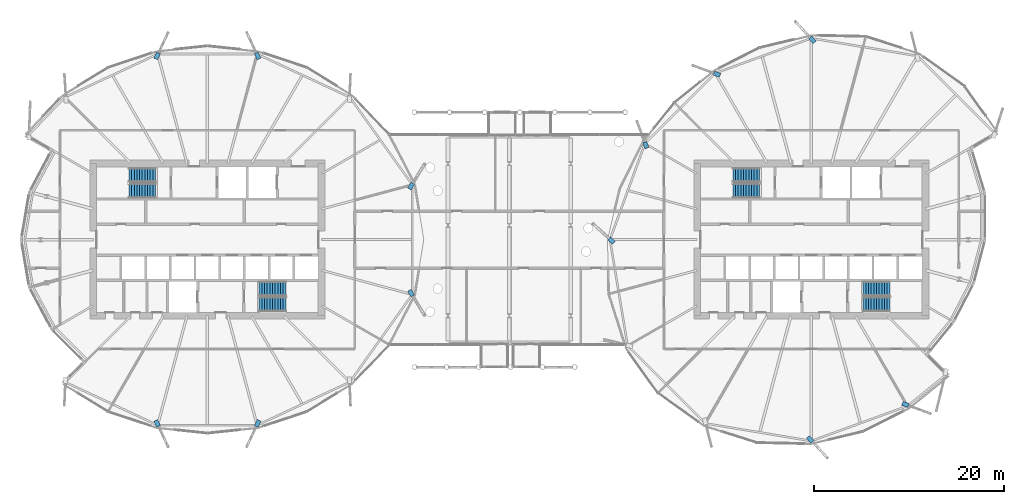
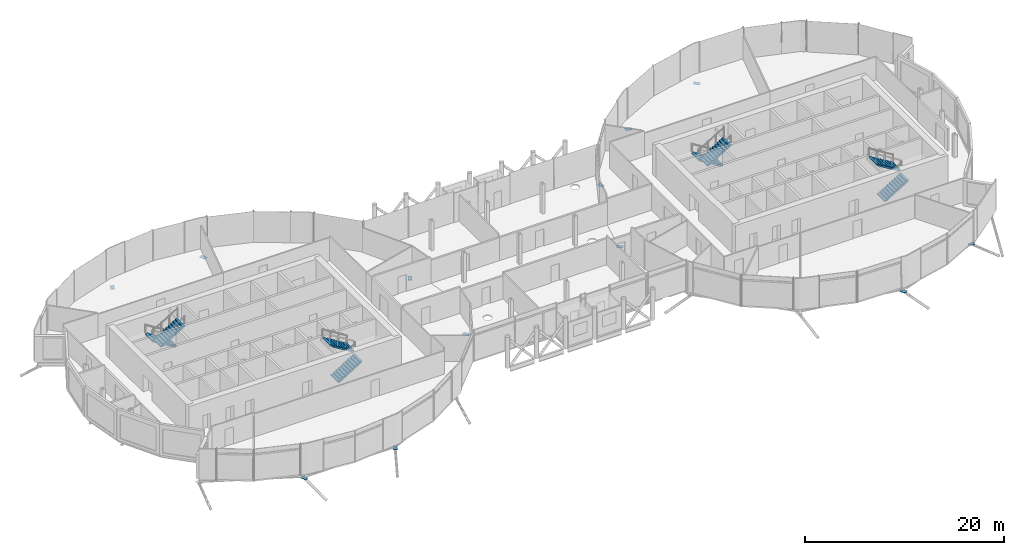
# One storey, part 30 of 39: 12 discrete accessories, 8 stair flights, 4 elements without a shape of their own.
"""IFC4 building model written with IfcOpenShell, lengths in metres."""

import ifcopenshell
import ifcopenshell.guid

model = None  # the IFC model being written
_history = None  # IfcOwnerHistory: only IFC2X3 demands one
_inside = {}  # id of a spatial element -> (the spatial element, [elements in it])
_under = {}  # id of a project, library or spatial element -> (it, [spatial elements below it])
_declared = {}  # id of a project -> (the project, [libraries it declares])
_typed = {}  # id of a type object -> (the type object, [elements of that type])
_made_of = {}  # id of a material, layer set ... -> (it, [elements and type objects made of it])


def new_model(schema):
    """Start an empty IFC model of exactly this schema.

    Asked for "IFC4X3", IfcOpenShell would pick the latest addendum, in which some entities
    have other attributes; the version numbers below select the first issue.
    IFC2X3 requires an IfcOwnerHistory on every rooted entity: one is made here for all.
    """
    global model, _history
    if schema == "IFC4X3":
        model = ifcopenshell.file(schema_version=(4, 3, 0, 0))
    else:
        model = ifcopenshell.file(schema=schema)
    _inside.clear()
    _under.clear()
    _declared.clear()
    _typed.clear()
    _made_of.clear()
    _history = None
    if model.schema == "IFC2X3":
        org = make("IfcOrganization", Name="unknown")
        user = make(
            "IfcPersonAndOrganization",
            ThePerson=make("IfcPerson", FamilyName="unknown"),
            TheOrganization=org,
        )
        app = make(
            "IfcApplication",
            ApplicationDeveloper=org,
            Version="unknown",
            ApplicationFullName="unknown",
            ApplicationIdentifier="unknown",
        )
        _history = make(
            "IfcOwnerHistory",
            OwningUser=user,
            OwningApplication=app,
            ChangeAction="ADDED",
            CreationDate=0,
        )
    return model


def make(cls, **values):
    """One entity of the class cls with the attributes given. An attribute that is None is left unset."""
    return model.create_entity(
        cls, **{name: value for name, value in values.items() if value is not None}
    )


def rooted(cls, **values):
    """An entity with a GlobalId (a new one), such as an element, a storey or a relation."""
    return make(cls, GlobalId=ifcopenshell.guid.new(), OwnerHistory=_history, **values)


def si_unit(unit_type, name, prefix=None):
    """IfcSIUnit, for example si_unit("LENGTHUNIT", "METRE", prefix="MILLI")."""
    return make("IfcSIUnit", UnitType=unit_type, Prefix=prefix, Name=name)


def assignment(units):
    """IfcUnitAssignment: the units of a project."""
    return None if units is None else make("IfcUnitAssignment", Units=units)


def point(xyz):
    """IfcCartesianPoint."""
    return None if xyz is None else make("IfcCartesianPoint", Coordinates=xyz)


def direction(xyz):
    """IfcDirection."""
    return None if xyz is None else make("IfcDirection", DirectionRatios=xyz)


def frame(location, z_axis=None, x_axis=None):
    """IfcAxis2Placement3D, a coordinate frame: its origin and axes. An axis left out is left unset."""
    return make(
        "IfcAxis2Placement3D",
        Location=point(location),
        Axis=direction(z_axis),
        RefDirection=direction(x_axis),
    )


def frame_2d(location, x_axis=None):
    """IfcAxis2Placement2D, a coordinate frame in the plane: its origin and x axis."""
    return make(
        "IfcAxis2Placement2D", Location=point(location), RefDirection=direction(x_axis)
    )


def origin():
    """The frame at (0, 0, 0) with its axes left unset."""
    return frame((0.0, 0.0, 0.0))


def origin_2d():
    """The frame at (0, 0) in the plane with its x axis left unset."""
    return frame_2d((0.0, 0.0))


def place(relative_to, where):
    """IfcLocalPlacement: puts the frame where relative to a parent placement (None: the world)."""
    return make(
        "IfcLocalPlacement", PlacementRelTo=relative_to, RelativePlacement=where
    )


def context(
    kind, dimensions, precision=None, world=None, true_north=None, identifier=None
):
    """IfcGeometricRepresentationContext, for example the 3D "Model" context."""
    return make(
        "IfcGeometricRepresentationContext",
        ContextIdentifier=identifier,
        ContextType=kind,
        CoordinateSpaceDimension=dimensions,
        Precision=precision,
        WorldCoordinateSystem=world,
        TrueNorth=true_north,
    )


def subcontext(parent, identifier, kind, view, scale=None):
    """IfcGeometricRepresentationSubContext, for example "Body" below "Model"."""
    return make(
        "IfcGeometricRepresentationSubContext",
        ContextIdentifier=identifier,
        ContextType=kind,
        ParentContext=parent,
        TargetScale=scale,
        TargetView=view,
    )


def project(units=None, contexts=None):
    """IfcProject with its units and contexts."""
    return rooted(
        "IfcProject",
        Name="project",
        RepresentationContexts=contexts,
        UnitsInContext=assignment(units),
    )


def spatial(cls, under=None, at=None, **own):
    """A site, building, storey or space (cls), placed at a placement, below another one or the project."""
    s = rooted(cls, ObjectPlacement=at, **own)
    if under is not None:
        _under.setdefault(under.id(), (under, []))[1].append(s)
    return s


def polyline(points):
    """IfcPolyline through the points."""
    return make("IfcPolyline", Points=[point(p) for p in points])


def profile(cls, at=None, kind="AREA", **sizes):
    """A parametric profile (cls). Its sizes go by their IFC names, for example OverallWidth=200.0."""
    return make(cls, ProfileType=kind, Position=at, **sizes)


def rectangle(**sizes):
    """IfcRectangleProfileDef."""
    return profile("IfcRectangleProfileDef", **sizes)


def outline(outer, holes=None, kind="AREA"):
    """IfcArbitraryClosedProfileDef: a profile drawn as a closed curve; with holes, ...WithVoids."""
    if holes is None:
        return make("IfcArbitraryClosedProfileDef", ProfileType=kind, OuterCurve=outer)
    return make(
        "IfcArbitraryProfileDefWithVoids",
        ProfileType=kind,
        OuterCurve=outer,
        InnerCurves=holes,
    )


def extrude(swept, where, along, depth):
    """IfcExtrudedAreaSolid: the profile swept, set in the frame where, extruded along a direction by depth."""
    return make(
        "IfcExtrudedAreaSolid",
        SweptArea=swept,
        Position=where,
        ExtrudedDirection=direction(along),
        Depth=depth,
    )


def shape(context_of_items, identifier, shape_type, items):
    """IfcShapeRepresentation: the items that make up one representation, for example the "Body"."""
    return make(
        "IfcShapeRepresentation",
        ContextOfItems=context_of_items,
        RepresentationIdentifier=identifier,
        RepresentationType=shape_type,
        Items=items,
    )


def material(Name=None, Category=None):
    """IfcMaterial."""
    return make("IfcMaterial", Name=Name, Category=Category)


def material_profile(
    of_material, cross_section, Name=None, Category=None, Priority=None
):
    """IfcMaterialProfile: a cross section and its material."""
    return make(
        "IfcMaterialProfile",
        Name=Name,
        Material=of_material,
        Profile=cross_section,
        Priority=Priority,
        Category=Category,
    )


def profile_set(profiles, Name=None, composite=None):
    """IfcMaterialProfileSet."""
    return make(
        "IfcMaterialProfileSet",
        Name=Name,
        MaterialProfiles=profiles,
        CompositeProfile=composite,
    )


def made_of(thing, what):
    """Note that an element or type object is made of a material, layer set ...; save() writes the relation."""
    if what is not None:
        _made_of.setdefault(what.id(), (what, []))[1].append(thing)
    return thing


def type_object(cls, material=None, **own):
    """A type object (cls), such as IfcWallType, which elements share."""
    return made_of(rooted(cls, **own), material)


def element(
    cls,
    number,
    at=None,
    inside=None,
    cuts=None,
    type_object=None,
    material=None,
    context=None,
    identifier="Body",
    shape_type=None,
    held_by="IfcProductDefinitionShape",
    body=None,
    shapes=None,
    **own,
):
    """One element of the class cls, such as IfcWall. Its Tag is "e" and its number.

    at: its placement. inside: the storey or other place that contains it. cuts: it is an
    opening in that element (IfcRelVoidsElement). A single representation is given by context,
    identifier, shape_type and body (its items); several are given by shapes. held_by: the class
    of the entity that holds the representations. save() writes the other relations.
    """
    e = rooted(cls, Tag="e%d" % number, ObjectPlacement=at, **own)
    if body is not None:
        shapes = [shape(context, identifier, shape_type, body)]
    if shapes is not None:
        e.Representation = make(held_by, Representations=shapes)
    if inside is not None:
        _inside.setdefault(inside.id(), (inside, []))[1].append(e)
    if cuts is not None:
        rooted(
            "IfcRelVoidsElement", RelatingBuildingElement=cuts, RelatedOpeningElement=e
        )
    if type_object is not None:
        _typed.setdefault(type_object.id(), (type_object, []))[1].append(e)
    return made_of(e, material)


def aggregate(whole, parts):
    """IfcRelAggregates: a whole, such as a stair, and the parts it consists of."""
    return rooted("IfcRelAggregates", RelatingObject=whole, RelatedObjects=parts)


def save(model, path):
    """Write the relations noted so far, then the file.

    IfcRelAggregates (storeys below a building ...), IfcRelContainedInSpatialStructure (elements
    in a storey), IfcRelDefinesByType, IfcRelAssociatesMaterial and IfcRelDeclares: one each for
    every whole, place, type object, material and project.
    """
    for whole, parts in _under.values():
        aggregate(whole, parts)
    for where, things in _inside.values():
        rooted(
            "IfcRelContainedInSpatialStructure",
            RelatedElements=things,
            RelatingStructure=where,
        )
    for kind, things in _typed.values():
        rooted("IfcRelDefinesByType", RelatedObjects=things, RelatingType=kind)
    for what, things in _made_of.values():
        rooted("IfcRelAssociatesMaterial", RelatedObjects=things, RelatingMaterial=what)
    for by, libraries in _declared.values():
        rooted("IfcRelDeclares", RelatingContext=by, RelatedDefinitions=libraries)
    model.write(path)


model = new_model("IFC4")

# Units and contexts
model_context = context("Model", 3, precision=1e-05, world=origin(), true_north=direction((0.0, 1.0)))
body_context = subcontext(model_context, "Body", "Model", "MODEL_VIEW")
ifc_project = project(units=[si_unit("LENGTHUNIT", "METRE"), si_unit("AREAUNIT", "SQUARE_METRE"), si_unit("VOLUMEUNIT", "CUBIC_METRE"), si_unit("PLANEANGLEUNIT", "RADIAN"), si_unit("MASSUNIT", "GRAM", prefix="KILO")], contexts=[model_context])

# Site, building, storey
site_placement = place(None, origin())
site = spatial("IfcSite", under=ifc_project, at=site_placement, CompositionType="ELEMENT")
building_placement = place(site_placement, origin())
building = spatial("IfcBuilding", under=site, at=building_placement, Name="Rimbun Link Towers", CompositionType="ELEMENT")
storey_placement = place(building_placement, frame((0.0, 0.0, 143.0)))
storey = spatial("IfcBuildingStorey", under=building, at=storey_placement, Name="L34", CompositionType="ELEMENT", Elevation=143.0)

# Stair, stair flights
ifc_material_1 = material(Name="Concrete C40/50", Category="concrete")
stair_type = type_object("IfcStairType", Name="Exit stair 3800 rise", PredefinedType="HALF_TURN_STAIR", material=ifc_material_1)
stair_1_placement = place(storey_placement, origin())
stair_1 = element("IfcStair", 1, at=stair_1_placement, inside=storey, type_object=stair_type, Name="L34 EXIT STAIR A", PredefinedType="HALF_TURN_STAIR")
ifc_material_2 = material(Name="Concrete C40/50", Category="concrete")
stair_flight_type = type_object("IfcStairFlightType", Name="Exit stair flight 3800 rise", PredefinedType="STRAIGHT", material=ifc_material_2)
stair_flight_1_placement = place(storey_placement, frame((-37.199951171875, 6.800048828125, 0.0), z_axis=(0.0, 0.0, 1.0), x_axis=(-1.0, 0.0, 0.0)))
stair_flight_1 = element("IfcStairFlight", 2, at=stair_flight_1_placement, type_object=stair_flight_type, Name="ST1 flight 1", NumberOfRisers=11, NumberOfTreads=10, PredefinedType="STRAIGHT", RiserHeight=0.172727273, TreadLength=0.28, context=body_context, shape_type="SweptSolid", body=[
    extrude(outline(polyline([(0.0, 0.0), (0.0, 0.172607421875), (0.280029296875, 0.172607421875), (0.280029296875, 0.345458984375), (0.56005859375, 0.345458984375), (0.56005859375, 0.51806640625), (0.840087890625, 0.51806640625), (0.840087890625, 0.69091796875), (1.1201171875, 0.69091796875), (1.1201171875, 0.863525390625), (1.39990234375, 0.863525390625), (1.39990234375, 1.036376953125), (1.679931640625, 1.036376953125), (1.679931640625, 1.208984375), (1.9599609375, 1.208984375), (1.9599609375, 1.3818359375), (2.239990234375, 1.3818359375), (2.239990234375, 1.554443359375), (2.52001953125, 1.554443359375), (2.52001953125, 1.727294921875), (2.800048828125, 1.727294921875), (2.800048828125, 1.89990234375), (2.800048828125, 1.551025390625), (0.280029296875, 0.0), (0.0, 0.0)])), frame((0.0, 0.75, 0.0), z_axis=(0.0, -1.0, 0.0), x_axis=(1.0, 0.0, 0.0)), (0.0, 0.0, 1.0), 1.5),
])
stair_flight_2_placement = place(storey_placement, frame((-40.0, 5.14990234375, 1.89990234375), z_axis=(0.0, 0.0, 1.0), x_axis=(1.0, 0.0, 0.0)))
stair_flight_2 = element("IfcStairFlight", 3, at=stair_flight_2_placement, type_object=stair_flight_type, Name="ST1 flight 2", NumberOfRisers=11, NumberOfTreads=10, PredefinedType="STRAIGHT", RiserHeight=0.172727273, TreadLength=0.28, context=body_context, shape_type="SweptSolid", body=[
    extrude(outline(polyline([(0.0, 0.0), (0.0, 0.172607421875), (0.280029296875, 0.172607421875), (0.280029296875, 0.345458984375), (0.56005859375, 0.345458984375), (0.56005859375, 0.51806640625), (0.840087890625, 0.51806640625), (0.840087890625, 0.69091796875), (1.1201171875, 0.69091796875), (1.1201171875, 0.863525390625), (1.39990234375, 0.863525390625), (1.39990234375, 1.036376953125), (1.679931640625, 1.036376953125), (1.679931640625, 1.208984375), (1.9599609375, 1.208984375), (1.9599609375, 1.3818359375), (2.239990234375, 1.3818359375), (2.239990234375, 1.554443359375), (2.52001953125, 1.554443359375), (2.52001953125, 1.727294921875), (2.800048828125, 1.727294921875), (2.800048828125, 1.89990234375), (2.800048828125, 1.551025390625), (0.280029296875, 0.0), (0.0, 0.0)])), frame((0.0, 0.75, 0.0), z_axis=(0.0, -1.0, 0.0), x_axis=(1.0, 0.0, 0.0)), (0.0, 0.0, 1.0), 1.5),
])
aggregate(stair_1, [stair_flight_1, stair_flight_2])

stair_2_placement = place(storey_placement, origin())
stair_2 = element("IfcStair", 4, at=stair_2_placement, inside=storey, type_object=stair_type, Name="L34 EXIT STAIR B", PredefinedType="HALF_TURN_STAIR")
stair_flight_3_placement = place(storey_placement, frame((-26.300048828125, -6.800048828125, 0.0), z_axis=(0.0, 0.0, 1.0), x_axis=(1.0, 0.0, 0.0)))
stair_flight_3 = element("IfcStairFlight", 5, at=stair_flight_3_placement, type_object=stair_flight_type, Name="ST2 flight 1", NumberOfRisers=11, NumberOfTreads=10, PredefinedType="STRAIGHT", RiserHeight=0.172727273, TreadLength=0.28, context=body_context, shape_type="SweptSolid", body=[
    extrude(outline(polyline([(0.0, 0.0), (0.0, 0.172607421875), (0.280029296875, 0.172607421875), (0.280029296875, 0.345458984375), (0.56005859375, 0.345458984375), (0.56005859375, 0.51806640625), (0.840087890625, 0.51806640625), (0.840087890625, 0.69091796875), (1.1201171875, 0.69091796875), (1.1201171875, 0.863525390625), (1.39990234375, 0.863525390625), (1.39990234375, 1.036376953125), (1.679931640625, 1.036376953125), (1.679931640625, 1.208984375), (1.9599609375, 1.208984375), (1.9599609375, 1.3818359375), (2.239990234375, 1.3818359375), (2.239990234375, 1.554443359375), (2.52001953125, 1.554443359375), (2.52001953125, 1.727294921875), (2.800048828125, 1.727294921875), (2.800048828125, 1.89990234375), (2.800048828125, 1.551025390625), (0.280029296875, 0.0), (0.0, 0.0)])), frame((0.0, 0.75, 0.0), z_axis=(0.0, -1.0, 0.0), x_axis=(1.0, 0.0, 0.0)), (0.0, 0.0, 1.0), 1.5),
])
stair_flight_4_placement = place(storey_placement, frame((-23.5, -5.14990234375, 1.89990234375), z_axis=(0.0, 0.0, 1.0), x_axis=(-1.0, 0.0, 0.0)))
stair_flight_4 = element("IfcStairFlight", 6, at=stair_flight_4_placement, type_object=stair_flight_type, Name="ST2 flight 2", NumberOfRisers=11, NumberOfTreads=10, PredefinedType="STRAIGHT", RiserHeight=0.172727273, TreadLength=0.28, context=body_context, shape_type="SweptSolid", body=[
    extrude(outline(polyline([(0.0, 0.0), (0.0, 0.172607421875), (0.280029296875, 0.172607421875), (0.280029296875, 0.345458984375), (0.56005859375, 0.345458984375), (0.56005859375, 0.51806640625), (0.840087890625, 0.51806640625), (0.840087890625, 0.69091796875), (1.1201171875, 0.69091796875), (1.1201171875, 0.863525390625), (1.39990234375, 0.863525390625), (1.39990234375, 1.036376953125), (1.679931640625, 1.036376953125), (1.679931640625, 1.208984375), (1.9599609375, 1.208984375), (1.9599609375, 1.3818359375), (2.239990234375, 1.3818359375), (2.239990234375, 1.554443359375), (2.52001953125, 1.554443359375), (2.52001953125, 1.727294921875), (2.800048828125, 1.727294921875), (2.800048828125, 1.89990234375), (2.800048828125, 1.551025390625), (0.280029296875, 0.0), (0.0, 0.0)])), frame((0.0, 0.75, 0.0), z_axis=(0.0, -1.0, 0.0), x_axis=(1.0, 0.0, 0.0)), (0.0, 0.0, 1.0), 1.5),
])
aggregate(stair_2, [stair_flight_3, stair_flight_4])

stair_3_placement = place(storey_placement, origin())
stair_3 = element("IfcStair", 7, at=stair_3_placement, inside=storey, type_object=stair_type, Name="L34 EXIT STAIR A", PredefinedType="HALF_TURN_STAIR")
stair_flight_5_placement = place(storey_placement, frame((26.300048828125, 6.800048828125, 0.0), z_axis=(0.0, 0.0, 1.0), x_axis=(-1.0, 0.0, 0.0)))
stair_flight_5 = element("IfcStairFlight", 8, at=stair_flight_5_placement, type_object=stair_flight_type, Name="ST3 flight 1", NumberOfRisers=11, NumberOfTreads=10, PredefinedType="STRAIGHT", RiserHeight=0.172727273, TreadLength=0.28, context=body_context, shape_type="SweptSolid", body=[
    extrude(outline(polyline([(0.0, 0.0), (0.0, 0.172607421875), (0.280029296875, 0.172607421875), (0.280029296875, 0.345458984375), (0.56005859375, 0.345458984375), (0.56005859375, 0.51806640625), (0.840087890625, 0.51806640625), (0.840087890625, 0.69091796875), (1.1201171875, 0.69091796875), (1.1201171875, 0.863525390625), (1.39990234375, 0.863525390625), (1.39990234375, 1.036376953125), (1.679931640625, 1.036376953125), (1.679931640625, 1.208984375), (1.9599609375, 1.208984375), (1.9599609375, 1.3818359375), (2.239990234375, 1.3818359375), (2.239990234375, 1.554443359375), (2.52001953125, 1.554443359375), (2.52001953125, 1.727294921875), (2.800048828125, 1.727294921875), (2.800048828125, 1.89990234375), (2.800048828125, 1.551025390625), (0.280029296875, 0.0), (0.0, 0.0)])), frame((0.0, 0.75, 0.0), z_axis=(0.0, -1.0, 0.0), x_axis=(1.0, 0.0, 0.0)), (0.0, 0.0, 1.0), 1.5),
])
stair_flight_6_placement = place(storey_placement, frame((23.5, 5.14990234375, 1.89990234375), z_axis=(0.0, 0.0, 1.0), x_axis=(1.0, 0.0, 0.0)))
stair_flight_6 = element("IfcStairFlight", 9, at=stair_flight_6_placement, type_object=stair_flight_type, Name="ST3 flight 2", NumberOfRisers=11, NumberOfTreads=10, PredefinedType="STRAIGHT", RiserHeight=0.172727273, TreadLength=0.28, context=body_context, shape_type="SweptSolid", body=[
    extrude(outline(polyline([(0.0, 0.0), (0.0, 0.172607421875), (0.280029296875, 0.172607421875), (0.280029296875, 0.345458984375), (0.56005859375, 0.345458984375), (0.56005859375, 0.51806640625), (0.840087890625, 0.51806640625), (0.840087890625, 0.69091796875), (1.1201171875, 0.69091796875), (1.1201171875, 0.863525390625), (1.39990234375, 0.863525390625), (1.39990234375, 1.036376953125), (1.679931640625, 1.036376953125), (1.679931640625, 1.208984375), (1.9599609375, 1.208984375), (1.9599609375, 1.3818359375), (2.239990234375, 1.3818359375), (2.239990234375, 1.554443359375), (2.52001953125, 1.554443359375), (2.52001953125, 1.727294921875), (2.800048828125, 1.727294921875), (2.800048828125, 1.89990234375), (2.800048828125, 1.551025390625), (0.280029296875, 0.0), (0.0, 0.0)])), frame((0.0, 0.75, 0.0), z_axis=(0.0, -1.0, 0.0), x_axis=(1.0, 0.0, 0.0)), (0.0, 0.0, 1.0), 1.5),
])
aggregate(stair_3, [stair_flight_5, stair_flight_6])

stair_4_placement = place(storey_placement, origin())
stair_4 = element("IfcStair", 10, at=stair_4_placement, inside=storey, type_object=stair_type, Name="L34 EXIT STAIR B", PredefinedType="HALF_TURN_STAIR")
stair_flight_7_placement = place(storey_placement, frame((37.199951171875, -6.800048828125, 0.0), z_axis=(0.0, 0.0, 1.0), x_axis=(1.0, 0.0, 0.0)))
stair_flight_7 = element("IfcStairFlight", 11, at=stair_flight_7_placement, type_object=stair_flight_type, Name="ST4 flight 1", NumberOfRisers=11, NumberOfTreads=10, PredefinedType="STRAIGHT", RiserHeight=0.172727273, TreadLength=0.28, context=body_context, shape_type="SweptSolid", body=[
    extrude(outline(polyline([(0.0, 0.0), (0.0, 0.172607421875), (0.280029296875, 0.172607421875), (0.280029296875, 0.345458984375), (0.56005859375, 0.345458984375), (0.56005859375, 0.51806640625), (0.840087890625, 0.51806640625), (0.840087890625, 0.69091796875), (1.1201171875, 0.69091796875), (1.1201171875, 0.863525390625), (1.39990234375, 0.863525390625), (1.39990234375, 1.036376953125), (1.679931640625, 1.036376953125), (1.679931640625, 1.208984375), (1.9599609375, 1.208984375), (1.9599609375, 1.3818359375), (2.239990234375, 1.3818359375), (2.239990234375, 1.554443359375), (2.52001953125, 1.554443359375), (2.52001953125, 1.727294921875), (2.800048828125, 1.727294921875), (2.800048828125, 1.89990234375), (2.800048828125, 1.551025390625), (0.280029296875, 0.0), (0.0, 0.0)])), frame((0.0, 0.75, 0.0), z_axis=(0.0, -1.0, 0.0), x_axis=(1.0, 0.0, 0.0)), (0.0, 0.0, 1.0), 1.5),
])
stair_flight_8_placement = place(storey_placement, frame((40.0, -5.14990234375, 1.89990234375), z_axis=(0.0, 0.0, 1.0), x_axis=(-1.0, 0.0, 0.0)))
stair_flight_8 = element("IfcStairFlight", 12, at=stair_flight_8_placement, type_object=stair_flight_type, Name="ST4 flight 2", NumberOfRisers=11, NumberOfTreads=10, PredefinedType="STRAIGHT", RiserHeight=0.172727273, TreadLength=0.28, context=body_context, shape_type="SweptSolid", body=[
    extrude(outline(polyline([(0.0, 0.0), (0.0, 0.172607421875), (0.280029296875, 0.172607421875), (0.280029296875, 0.345458984375), (0.56005859375, 0.345458984375), (0.56005859375, 0.51806640625), (0.840087890625, 0.51806640625), (0.840087890625, 0.69091796875), (1.1201171875, 0.69091796875), (1.1201171875, 0.863525390625), (1.39990234375, 0.863525390625), (1.39990234375, 1.036376953125), (1.679931640625, 1.036376953125), (1.679931640625, 1.208984375), (1.9599609375, 1.208984375), (1.9599609375, 1.3818359375), (2.239990234375, 1.3818359375), (2.239990234375, 1.554443359375), (2.52001953125, 1.554443359375), (2.52001953125, 1.727294921875), (2.800048828125, 1.727294921875), (2.800048828125, 1.89990234375), (2.800048828125, 1.551025390625), (0.280029296875, 0.0), (0.0, 0.0)])), frame((0.0, 0.75, 0.0), z_axis=(0.0, -1.0, 0.0), x_axis=(1.0, 0.0, 0.0)), (0.0, 0.0, 1.0), 1.5),
])
aggregate(stair_4, [stair_flight_7, stair_flight_8])

# Discrete accessories
ifc_material_3 = material(Name="Steel S355J2H", Category="steel")
ifc_material_profile = material_profile(ifc_material_3, rectangle(XDim=0.43310546875, YDim=0.43310546875, at=origin_2d()), Name="PL 433x433")
ifc_profile_set = profile_set([ifc_material_profile], Name="Steel S355J2H")
discrete_accessory_type = type_object("IfcDiscreteAccessoryType", Name="Link head end plate 433X20", PredefinedType="BRACKET", material=ifc_profile_set)
discrete_accessory_1_placement = place(storey_placement, frame((0.0, 0.0, -0.733154296875)))
element("IfcDiscreteAccessory", 13, at=discrete_accessory_1_placement, inside=storey, type_object=discrete_accessory_type, Name="Link head end plate T1 L34 01", PredefinedType="BRACKET", context=body_context, shape_type="SweptSolid", body=[
    extrude(outline(polyline([(-10.330322265625, 5.21533203125), (-9.971923828125, 5.8046875), (-10.341796875, 6.02978515625), (-10.7001953125, 5.440185546875), (-10.330322265625, 5.21533203125)])), origin(), (0.0, 0.0, 1.0), 0.02001953125),
])
discrete_accessory_2_placement = place(storey_placement, frame((0.0, 0.0, -0.802490234375)))
element("IfcDiscreteAccessory", 14, at=discrete_accessory_2_placement, inside=storey, type_object=discrete_accessory_type, Name="Link head end plate T1 L34 05", PredefinedType="BRACKET", context=body_context, shape_type="SweptSolid", body=[
    extrude(outline(polyline([(-26.1201171875, 19.091064453125), (-26.416015625, 19.722900390625), (-26.80810546875, 19.539306640625), (-26.51220703125, 18.9072265625), (-26.1201171875, 19.091064453125)])), origin(), (0.0, 0.0, 1.0), 0.019775390625),
])
discrete_accessory_3_placement = place(storey_placement, frame((0.0, 0.0, -0.802490234375)))
element("IfcDiscreteAccessory", 15, at=discrete_accessory_3_placement, inside=storey, type_object=discrete_accessory_type, Name="Link head end plate T1 L34 07", PredefinedType="BRACKET", context=body_context, shape_type="SweptSolid", body=[
    extrude(outline(polyline([(-36.98779296875, 18.9072265625), (-36.69189453125, 19.539306640625), (-37.083984375, 19.722900390625), (-37.3798828125, 19.091064453125), (-36.98779296875, 18.9072265625)])), origin(), (0.0, 0.0, 1.0), 0.019775390625),
])
discrete_accessory_4_placement = place(storey_placement, frame((0.0, 0.0, -0.802490234375)))
element("IfcDiscreteAccessory", 16, at=discrete_accessory_4_placement, inside=storey, type_object=discrete_accessory_type, Name="Link head end plate T1 L34 17", PredefinedType="BRACKET", context=body_context, shape_type="SweptSolid", body=[
    extrude(outline(polyline([(-37.3798828125, -19.091064453125), (-37.083984375, -19.722900390625), (-36.69189453125, -19.539306640625), (-36.98779296875, -18.9072265625), (-37.3798828125, -19.091064453125)])), origin(), (0.0, 0.0, 1.0), 0.019775390625),
])
discrete_accessory_5_placement = place(storey_placement, frame((0.0, 0.0, -0.802490234375)))
element("IfcDiscreteAccessory", 17, at=discrete_accessory_5_placement, inside=storey, type_object=discrete_accessory_type, Name="Link head end plate T1 L34 19", PredefinedType="BRACKET", context=body_context, shape_type="SweptSolid", body=[
    extrude(outline(polyline([(-26.51220703125, -18.9072265625), (-26.80810546875, -19.539306640625), (-26.416015625, -19.722900390625), (-26.1201171875, -19.091064453125), (-26.51220703125, -18.9072265625)])), origin(), (0.0, 0.0, 1.0), 0.019775390625),
])
discrete_accessory_6_placement = place(storey_placement, frame((0.0, 0.0, -0.733154296875)))
element("IfcDiscreteAccessory", 18, at=discrete_accessory_6_placement, inside=storey, type_object=discrete_accessory_type, Name="Link head end plate T1 L34 23", PredefinedType="BRACKET", context=body_context, shape_type="SweptSolid", body=[
    extrude(outline(polyline([(-10.7001953125, -5.440185546875), (-10.341796875, -6.02978515625), (-9.971923828125, -5.8046875), (-10.330322265625, -5.21533203125), (-10.7001953125, -5.440185546875)])), origin(), (0.0, 0.0, 1.0), 0.02001953125),
])
discrete_accessory_7_placement = place(storey_placement, frame((0.0, 0.0, -0.883544921875)))
element("IfcDiscreteAccessory", 19, at=discrete_accessory_7_placement, inside=storey, type_object=discrete_accessory_type, Name="Link head end plate T2 L34 03", PredefinedType="BRACKET", context=body_context, shape_type="SweptSolid", body=[
    extrude(outline(polyline([(32.25830078125, 20.894287109375), (31.7841796875, 21.40576171875), (31.466552734375, 21.111572265625), (31.940673828125, 20.60009765625), (32.25830078125, 20.894287109375)])), origin(), (0.0, 0.0, 1.0), 0.02001953125),
])
discrete_accessory_8_placement = place(storey_placement, frame((0.0, 0.0, -0.802490234375)))
element("IfcDiscreteAccessory", 20, at=discrete_accessory_8_placement, inside=storey, type_object=discrete_accessory_type, Name="Link head end plate T2 L34 05", PredefinedType="BRACKET", context=body_context, shape_type="SweptSolid", body=[
    extrude(outline(polyline([(22.231689453125, 17.48046875), (21.575439453125, 17.718017578125), (21.427978515625, 17.310791015625), (22.084228515625, 17.0732421875), (22.231689453125, 17.48046875)])), origin(), (0.0, 0.0, 1.0), 0.019775390625),
])
discrete_accessory_9_placement = place(storey_placement, frame((0.0, 0.0, -0.554931640625)))
element("IfcDiscreteAccessory", 21, at=discrete_accessory_9_placement, inside=storey, type_object=discrete_accessory_type, Name="Link head end plate T2 L34 07", PredefinedType="BRACKET", context=body_context, shape_type="SweptSolid", body=[
    extrude(outline(polyline([(14.67041015625, 9.697998046875), (14.43603515625, 10.32470703125), (14.030517578125, 10.173095703125), (14.264892578125, 9.54638671875), (14.67041015625, 9.697998046875)])), origin(), (0.0, 0.0, 1.0), 0.02001953125),
])
discrete_accessory_10_placement = place(storey_placement, frame((0.0, 0.0, -0.733154296875)))
element("IfcDiscreteAccessory", 22, at=discrete_accessory_10_placement, inside=storey, type_object=discrete_accessory_type, Name="Link head end plate T2 L34 09", PredefinedType="BRACKET", context=body_context, shape_type="SweptSolid", body=[
    extrude(outline(polyline([(11.13720703125, -0.174072265625), (10.635986328125, 0.2841796875), (10.34375, -0.035400390625), (10.844970703125, -0.49365234375), (11.13720703125, -0.174072265625)])), origin(), (0.0, 0.0, 1.0), 0.02001953125),
])
discrete_accessory_11_placement = place(storey_placement, frame((0.0, 0.0, -0.883544921875)))
element("IfcDiscreteAccessory", 23, at=discrete_accessory_11_placement, inside=storey, type_object=discrete_accessory_type, Name="Link head end plate T2 L34 15", PredefinedType="BRACKET", context=body_context, shape_type="SweptSolid", body=[
    extrude(outline(polyline([(31.24169921875, -20.894287109375), (31.7158203125, -21.40576171875), (32.033447265625, -21.111572265625), (31.559326171875, -20.60009765625), (31.24169921875, -20.894287109375)])), origin(), (0.0, 0.0, 1.0), 0.02001953125),
])
discrete_accessory_12_placement = place(storey_placement, frame((0.0, 0.0, -0.802490234375)))
element("IfcDiscreteAccessory", 24, at=discrete_accessory_12_placement, inside=storey, type_object=discrete_accessory_type, Name="Link head end plate T2 L34 17", PredefinedType="BRACKET", context=body_context, shape_type="SweptSolid", body=[
    extrude(outline(polyline([(41.25048828125, -17.410400390625), (41.879638671875, -17.639892578125), (42.028076171875, -17.233154296875), (41.39892578125, -17.00341796875), (41.25048828125, -17.410400390625)])), origin(), (0.0, 0.0, 1.0), 0.019775390625),
])

save(model, "model.ifc")
